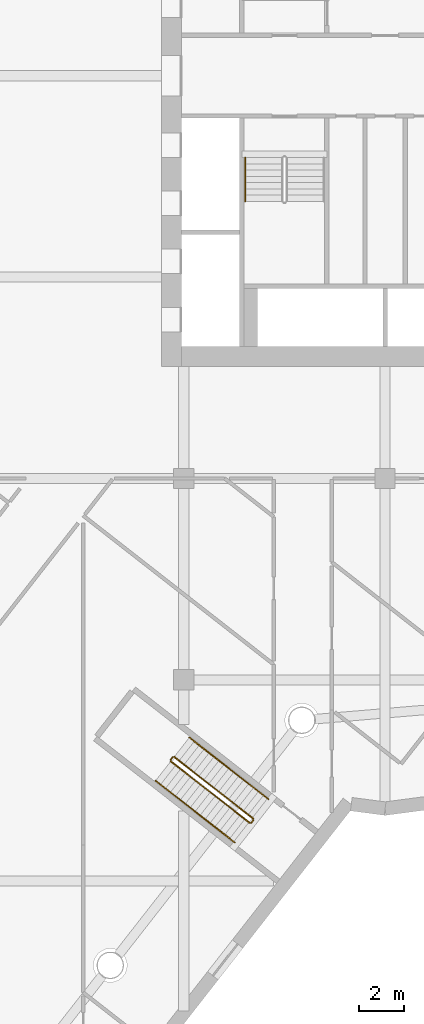
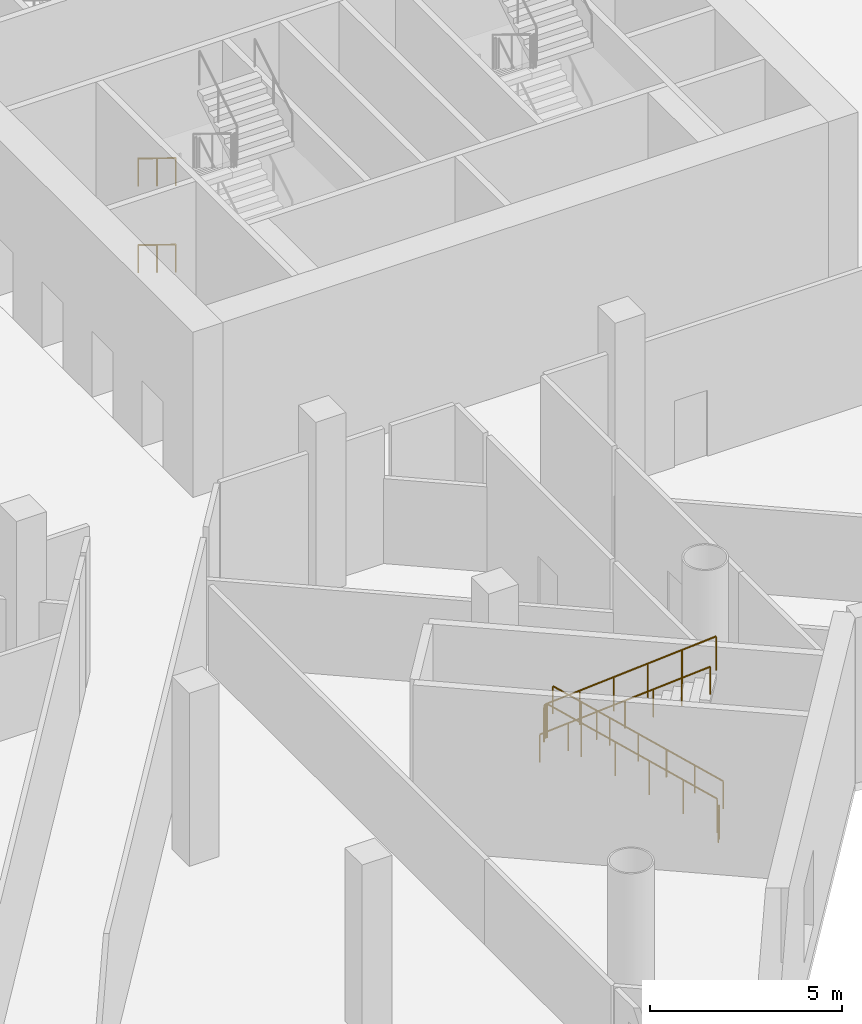
# One storey, part 20 of 23: 12 railings.
"""IFC4 building model written with IfcOpenShell, lengths in metres."""

from ifc_helpers import new_model, si_unit, direction, frame, origin, origin_2d, place, context, subcontext, project, spatial, circle, extrude, material, type_object, element, save


model = new_model("IFC4")

# Units and contexts
model_context = context("Model", 3, precision=1e-05, world=origin(), true_north=direction((0.0, 1.0)))
body_context = subcontext(model_context, "Body", "Model", "MODEL_VIEW")
ifc_project = project(units=[si_unit("LENGTHUNIT", "METRE"), si_unit("AREAUNIT", "SQUARE_METRE"), si_unit("VOLUMEUNIT", "CUBIC_METRE"), si_unit("PLANEANGLEUNIT", "RADIAN"), si_unit("MASSUNIT", "GRAM", prefix="KILO")], contexts=[model_context])

# Site, building, storey
site_placement = place(None, origin())
site = spatial("IfcSite", under=ifc_project, at=site_placement, CompositionType="ELEMENT")
building_placement = place(site_placement, origin())
building = spatial("IfcBuilding", under=site, at=building_placement, Name="Tarsis Ring Headquarters", CompositionType="ELEMENT")
storey_placement = place(building_placement, frame((0.0, 0.0, 14.0)))
storey = spatial("IfcBuildingStorey", under=building, at=storey_placement, Name="L02", CompositionType="ELEMENT", Elevation=14.0)

# Railings
ifc_material_1 = material(Name="Steel S355", Category="steel")
railing_type_1 = type_object("IfcRailingType", Name="Core stair handrail 900", PredefinedType="HANDRAIL", material=ifc_material_1)
for number, where, name in (
    (1, (-6.25, -3.659912109375, 0.171875), "L02 ST3 stair handrail 1"),
    (2, (-6.25, -3.659912109375, 2.921875), "L02 ST3 stair handrail 3"),
):
    element("IfcRailing", number, at=place(storey_placement, frame(where)), inside=storey, type_object=railing_type_1, Name=name, PredefinedType="HANDRAIL", context=body_context, shape_type="SweptSolid", body=[
        extrude(circle(Radius=0.02392578125, at=origin_2d()), frame((0.0, 0.0, 0.8759765625), z_axis=(0.0, -0.852270028233, 0.523102092307), x_axis=(1.0, 0.0, 0.0)), (0.0, 0.0, 1.0), 2.300048828125),
        extrude(circle(Radius=0.02099609375, at=origin_2d()), origin(), (0.0, 0.0, 1.0), 0.851806640625),
        extrude(circle(Radius=0.02099609375, at=origin_2d()), frame((0.0, -0.97998046875, 0.6015625)), (0.0, 0.0, 1.0), 0.851806640625),
        extrude(circle(Radius=0.02099609375, at=origin_2d()), frame((0.0, -1.960205078125, 1.203125)), (0.0, 0.0, 1.0), 0.851806640625),
    ])
ifc_material_2 = material(Name="Stainless steel", Category="steel")
railing_type_2 = type_object("IfcRailingType", Name="PO-RL-G", PredefinedType="GUARDRAIL", material=ifc_material_2)
railing_1_placement = place(storey_placement, frame((-5.8955078125, -33.202392578125, 0.161865234375)))
element("IfcRailing", 3, at=railing_1_placement, inside=storey, type_object=railing_type_2, Name="L02 PS2 stair guard 1", PredefinedType="GUARDRAIL", context=body_context, shape_type="SweptSolid", body=[
    extrude(circle(Radius=0.02392578125, at=origin_2d()), frame((0.0, 0.0, 1.076171875), z_axis=(-0.682566429488, 0.532793470816, 0.500234131974), x_axis=(-0.615312980545, -0.788282903514, 0.0)), (0.0, 0.0, 1.0), 5.173828125),
    extrude(circle(Radius=0.02099609375, at=origin_2d()), origin(), (0.0, 0.0, 1.0), 1.052001953125),
    extrude(circle(Radius=0.02099609375, at=origin_2d()), frame((-0.706298828125, 0.55126953125, 0.517578125)), (0.0, 0.0, 1.0), 1.052001953125),
    extrude(circle(Radius=0.02099609375, at=origin_2d()), frame((-1.41259765625, 1.1025390625, 1.03515625)), (0.0, 0.0, 1.0), 1.052001953125),
    extrude(circle(Radius=0.02099609375, at=origin_2d()), frame((-2.118896484375, 1.654052734375, 1.552978515625)), (0.0, 0.0, 1.0), 1.052001953125),
    extrude(circle(Radius=0.02099609375, at=origin_2d()), frame((-2.8251953125, 2.205322265625, 2.070556640625)), (0.0, 0.0, 1.0), 1.052001953125),
    extrude(circle(Radius=0.02099609375, at=origin_2d()), frame((-3.531494140625, 2.756591796875, 2.588134765625)), (0.0, 0.0, 1.0), 1.052001953125),
])
railing_2_placement = place(storey_placement, frame((-9.497314453125, -30.454345703125, 2.75)))
element("IfcRailing", 4, at=railing_2_placement, inside=storey, type_object=railing_type_2, Name="L02 PS2 stair guard 2", PredefinedType="GUARDRAIL", context=body_context, shape_type="SweptSolid", body=[
    extrude(circle(Radius=0.02392578125, at=origin_2d()), frame((0.0, 0.0, 1.076171875), z_axis=(-0.614728420867, -0.78873884688, 0.0), x_axis=(0.78873884688, -0.614728420867, 0.0)), (0.0, 0.0, 1.0), 0.150146484375),
    extrude(circle(Radius=0.02099609375, at=origin_2d()), origin(), (0.0, 0.0, 1.0), 1.052001953125),
    extrude(circle(Radius=0.02099609375, at=origin_2d()), frame((-0.09228515625, -0.118408203125, 0.0)), (0.0, 0.0, 1.0), 1.052001953125),
])
railing_3_placement = place(storey_placement, frame((-9.580810546875, -30.642822265625, 2.911865234375)))
element("IfcRailing", 5, at=railing_3_placement, inside=storey, type_object=railing_type_2, Name="L02 PS2 stair guard 3", PredefinedType="GUARDRAIL", context=body_context, shape_type="SweptSolid", body=[
    extrude(circle(Radius=0.02392578125, at=origin_2d()), frame((0.0, 0.0, 1.076171875), z_axis=(0.682566429488, -0.532793470816, 0.500234131974), x_axis=(0.615312980545, 0.788282903514, 0.0)), (0.0, 0.0, 1.0), 5.173828125),
    extrude(circle(Radius=0.02099609375, at=origin_2d()), origin(), (0.0, 0.0, 1.0), 1.052001953125),
    extrude(circle(Radius=0.02099609375, at=origin_2d()), frame((0.706298828125, -0.55126953125, 0.517578125)), (0.0, 0.0, 1.0), 1.052001953125),
    extrude(circle(Radius=0.02099609375, at=origin_2d()), frame((1.41259765625, -1.1025390625, 1.03515625)), (0.0, 0.0, 1.0), 1.052001953125),
    extrude(circle(Radius=0.02099609375, at=origin_2d()), frame((2.118896484375, -1.654052734375, 1.552978515625)), (0.0, 0.0, 1.0), 1.052001953125),
    extrude(circle(Radius=0.02099609375, at=origin_2d()), frame((2.8251953125, -2.205322265625, 2.070556640625)), (0.0, 0.0, 1.0), 1.052001953125),
    extrude(circle(Radius=0.02099609375, at=origin_2d()), frame((3.531494140625, -2.756591796875, 2.588134765625)), (0.0, 0.0, 1.0), 1.052001953125),
])
railing_4_placement = place(storey_placement, frame((-5.886962890625, -33.272705078125, 0.0)))
element("IfcRailing", 6, at=railing_4_placement, inside=storey, type_object=railing_type_2, Name="L02 PS2 stair guard 4", PredefinedType="GUARDRAIL", context=body_context, shape_type="SweptSolid", body=[
    extrude(circle(Radius=0.02392578125, at=origin_2d()), frame((0.0, 0.0, 1.076171875), z_axis=(-0.615517636689, -0.788123111528, 0.0), x_axis=(0.788123111528, -0.615517636689, 0.0)), (0.0, 0.0, 1.0), 0.14990234375),
    extrude(circle(Radius=0.02099609375, at=origin_2d()), origin(), (0.0, 0.0, 1.0), 1.052001953125),
    extrude(circle(Radius=0.02099609375, at=origin_2d()), frame((-0.09228515625, -0.1181640625, 0.0)), (0.0, 0.0, 1.0), 1.052001953125),
])
railing_type_3 = type_object("IfcRailingType", Name="PO-RL-H", PredefinedType="HANDRAIL", material=ifc_material_2)
railing_5_placement = place(storey_placement, frame((-5.21875, -32.33544921875, 0.161865234375)))
element("IfcRailing", 7, at=railing_5_placement, inside=storey, type_object=railing_type_3, Name="L02 PS2 stair handrail 1", PredefinedType="HANDRAIL", context=body_context, shape_type="SweptSolid", body=[
    extrude(circle(Radius=0.02392578125, at=origin_2d()), frame((0.0, 0.0, 0.8759765625), z_axis=(-0.682606690651, 0.532835251682, 0.500134682304), x_axis=(-0.615320410421, -0.788277103892, 0.0)), (0.0, 0.0, 1.0), 1.724609375),
    extrude(circle(Radius=0.02099609375, at=origin_2d()), origin(), (0.0, 0.0, 1.0), 0.851806640625),
    extrude(circle(Radius=0.02099609375, at=origin_2d()), frame((-0.588623046875, 0.45947265625, 0.43115234375)), (0.0, 0.0, 1.0), 0.851806640625),
    extrude(circle(Radius=0.02099609375, at=origin_2d()), frame((-1.17724609375, 0.9189453125, 0.862548828125)), (0.0, 0.0, 1.0), 0.851806640625),
])
railing_6_placement = place(storey_placement, frame((-6.39599609375, -31.41650390625, 1.0244140625)))
element("IfcRailing", 8, at=railing_6_placement, inside=storey, type_object=railing_type_3, Name="L02 PS2 stair handrail 1 bay 2", PredefinedType="HANDRAIL", context=body_context, shape_type="SweptSolid", body=[
    extrude(circle(Radius=0.02392578125, at=origin_2d()), frame((0.0, 0.0, 0.8759765625), z_axis=(-0.682482745441, 0.532849005152, 0.500289156272), x_axis=(-0.615399709994, -0.7882151971, 0.0)), (0.0, 0.0, 1.0), 1.724609375),
    extrude(circle(Radius=0.02099609375, at=origin_2d()), frame((-0.58837890625, 0.45947265625, 0.431396484375)), (0.0, 0.0, 1.0), 0.851806640625),
    extrude(circle(Radius=0.02099609375, at=origin_2d()), frame((-1.177001953125, 0.9189453125, 0.86279296875)), (0.0, 0.0, 1.0), 0.851806640625),
])
railing_7_placement = place(storey_placement, frame((-7.572998046875, -30.49755859375, 1.88720703125)))
element("IfcRailing", 9, at=railing_7_placement, inside=storey, type_object=railing_type_3, Name="L02 PS2 stair handrail 1 bay 3", PredefinedType="HANDRAIL", context=body_context, shape_type="SweptSolid", body=[
    extrude(circle(Radius=0.02392578125, at=origin_2d()), frame((0.0, 0.0, 0.8759765625), z_axis=(-0.682558360719, 0.532797525871, 0.500240822643), x_axis=(-0.615320410421, -0.788277103892, 0.0)), (0.0, 0.0, 1.0), 1.724853515625),
    extrude(circle(Radius=0.02099609375, at=origin_2d()), frame((-0.588623046875, 0.45947265625, 0.431396484375)), (0.0, 0.0, 1.0), 0.851806640625),
    extrude(circle(Radius=0.02099609375, at=origin_2d()), frame((-1.17724609375, 0.9189453125, 0.86279296875)), (0.0, 0.0, 1.0), 0.851806640625),
])
railing_8_placement = place(storey_placement, frame((-10.2578125, -31.510009765625, 2.911865234375)))
element("IfcRailing", 10, at=railing_8_placement, inside=storey, type_object=railing_type_3, Name="L02 PS2 stair handrail 2", PredefinedType="HANDRAIL", context=body_context, shape_type="SweptSolid", body=[
    extrude(circle(Radius=0.02392578125, at=origin_2d()), frame((0.0, 0.0, 0.8759765625), z_axis=(0.682606690651, -0.532835251682, 0.500134682304), x_axis=(0.615320410421, 0.788277103892, 0.0)), (0.0, 0.0, 1.0), 1.724609375),
    extrude(circle(Radius=0.02099609375, at=origin_2d()), origin(), (0.0, 0.0, 1.0), 0.851806640625),
    extrude(circle(Radius=0.02099609375, at=origin_2d()), frame((0.588623046875, -0.45947265625, 0.43115234375)), (0.0, 0.0, 1.0), 0.851806640625),
    extrude(circle(Radius=0.02099609375, at=origin_2d()), frame((1.17724609375, -0.9189453125, 0.862548828125)), (0.0, 0.0, 1.0), 0.851806640625),
])
railing_9_placement = place(storey_placement, frame((-9.08056640625, -32.428955078125, 3.7744140625)))
element("IfcRailing", 11, at=railing_9_placement, inside=storey, type_object=railing_type_3, Name="L02 PS2 stair handrail 2 bay 2", PredefinedType="HANDRAIL", context=body_context, shape_type="SweptSolid", body=[
    extrude(circle(Radius=0.02392578125, at=origin_2d()), frame((0.0, 0.0, 0.8759765625), z_axis=(0.682609836864, -0.532696146022, 0.500278549041), x_axis=(0.615218814783, 0.78835639779, 0.0)), (0.0, 0.0, 1.0), 1.724609375),
    extrude(circle(Radius=0.02099609375, at=origin_2d()), frame((0.588623046875, -0.45947265625, 0.431396484375)), (0.0, 0.0, 1.0), 0.851806640625),
    extrude(circle(Radius=0.02099609375, at=origin_2d()), frame((1.17724609375, -0.918701171875, 0.86279296875)), (0.0, 0.0, 1.0), 0.851806640625),
])
railing_10_placement = place(storey_placement, frame((-7.9033203125, -33.34765625, 4.63720703125)))
element("IfcRailing", 12, at=railing_10_placement, inside=storey, type_object=railing_type_3, Name="L02 PS2 stair handrail 2 bay 3", PredefinedType="HANDRAIL", context=body_context, shape_type="SweptSolid", body=[
    extrude(circle(Radius=0.02392578125, at=origin_2d()), frame((0.0, 0.0, 0.8759765625), z_axis=(0.682482745441, -0.532849005152, 0.500289156272), x_axis=(0.615399709994, 0.7882151971, 0.0)), (0.0, 0.0, 1.0), 1.724609375),
    extrude(circle(Radius=0.02099609375, at=origin_2d()), frame((0.58837890625, -0.45947265625, 0.431396484375)), (0.0, 0.0, 1.0), 0.851806640625),
    extrude(circle(Radius=0.02099609375, at=origin_2d()), frame((1.177001953125, -0.9189453125, 0.86279296875)), (0.0, 0.0, 1.0), 0.851806640625),
])

save(model, "model.ifc")
